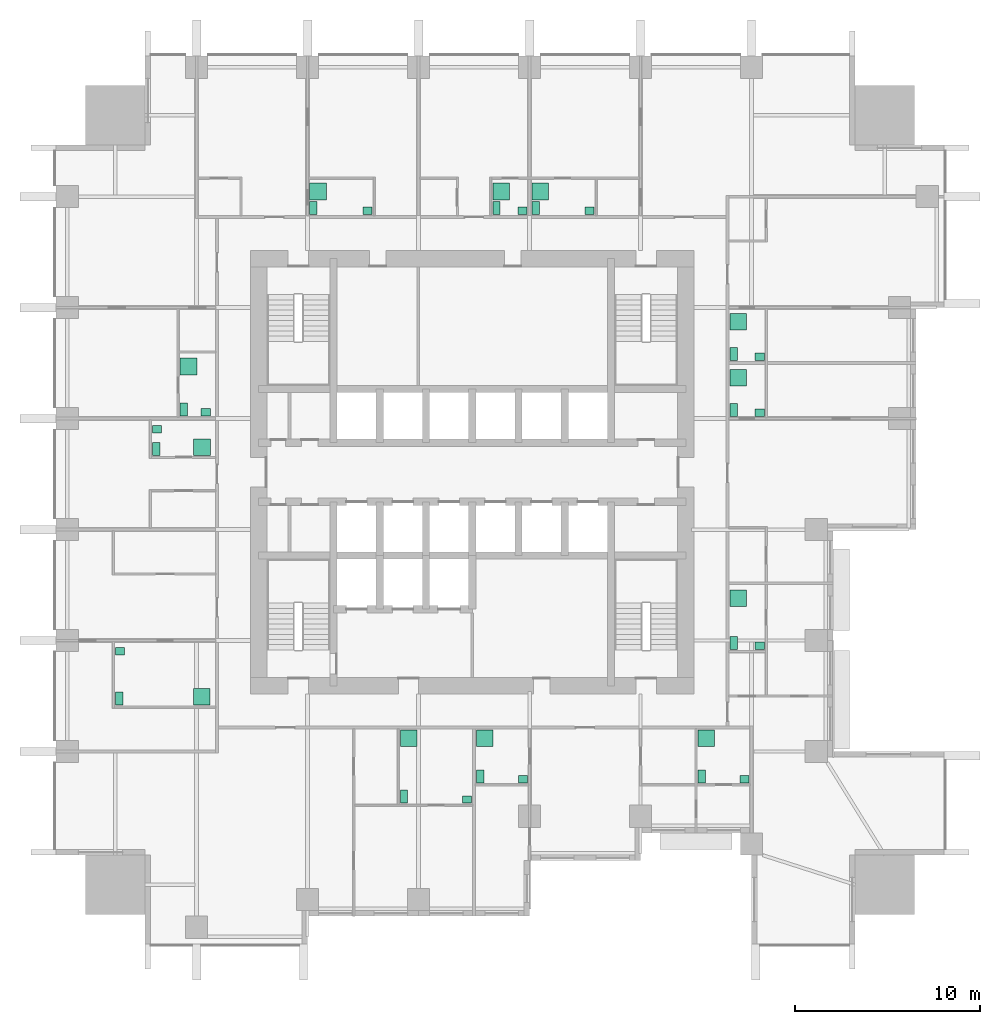
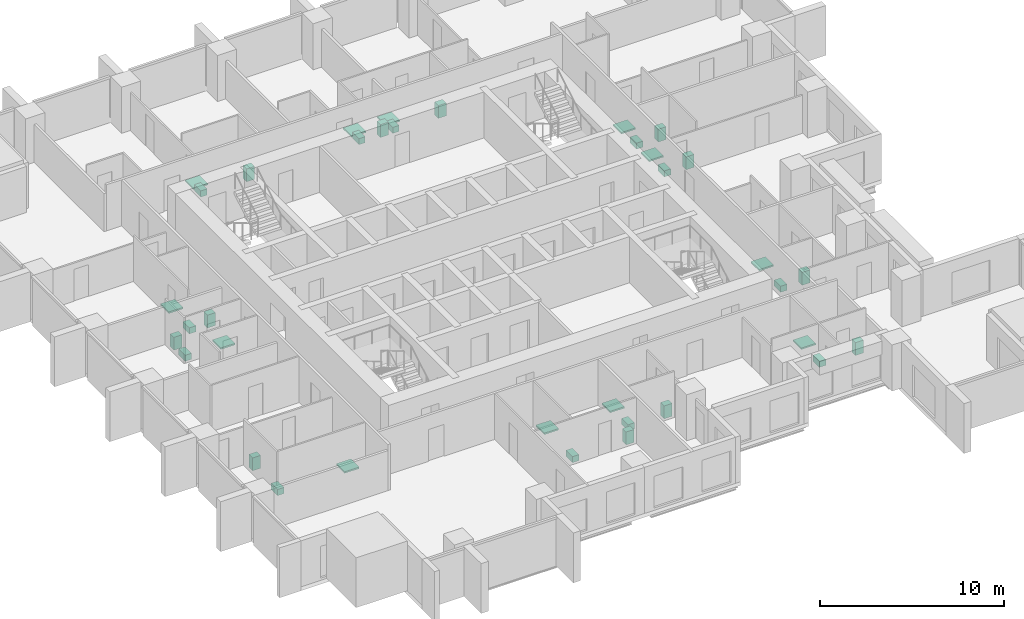
# One storey, part 10 of 10: 36 sanitary terminals.
"""IFC4 building model written with IfcOpenShell, lengths in metres."""

from ifc_helpers import new_model, si_unit, direction, frame, origin, origin_2d, place, context, subcontext, project, spatial, rectangle, extrude, element, save


model = new_model("IFC4")

# Units and contexts
model_context = context("Model", 3, precision=1e-05, world=origin(), true_north=direction((0.0, 1.0)))
body_context = subcontext(model_context, "Body", "Model", "MODEL_VIEW")
ifc_project = project(units=[si_unit("LENGTHUNIT", "METRE"), si_unit("AREAUNIT", "SQUARE_METRE"), si_unit("VOLUMEUNIT", "CUBIC_METRE"), si_unit("PLANEANGLEUNIT", "RADIAN"), si_unit("MASSUNIT", "GRAM", prefix="KILO")], contexts=[model_context])

# Site, building, storey
site_placement = place(None, origin())
site = spatial("IfcSite", under=ifc_project, at=site_placement, CompositionType="ELEMENT")
building_placement = place(site_placement, origin())
building = spatial("IfcBuilding", under=site, at=building_placement, Name="Amberfall Residences", CompositionType="ELEMENT")
storey_placement = place(building_placement, frame((0.0, 0.0, 63.10009765625)))
storey = spatial("IfcBuildingStorey", under=building, at=storey_placement, Name="L17", CompositionType="ELEMENT", Elevation=63.10009765625)

# Sanitary terminals
sanitary_terminal_1_placement = place(storey_placement, frame((70.81005859375, 27.9599609375, 0.0), z_axis=(0.0, 0.0, 1.0), x_axis=(1.0, 0.0, 0.0)))
element("IfcSanitaryTerminal", 1, at=sanitary_terminal_1_placement, inside=storey, Name="Water closet 1701", PredefinedType="TOILETPAN", context=body_context, shape_type="SweptSolid", body=[
    extrude(rectangle(XDim=0.39990234375, YDim=0.699951171875, at=origin_2d()), origin(), (0.0, 0.0, 1.0), 0.39990234375),
])
sanitary_terminal_2_placement = place(storey_placement, frame((74.215087890625, 27.81005859375, -0.000244140625), z_axis=(0.0, 0.0, 1.0), x_axis=(1.0, 0.0, 0.0)))
element("IfcSanitaryTerminal", 2, at=sanitary_terminal_2_placement, inside=storey, Name="Basin 1701", PredefinedType="WASHHANDBASIN", context=body_context, shape_type="SweptSolid", body=[
    extrude(rectangle(XDim=0.5, YDim=0.39990234375, at=origin_2d()), origin(), (0.0, 0.0, 1.0), 0.85009765625),
])
sanitary_terminal_3_placement = place(storey_placement, frame((71.06005859375, 31.114990234375, -0.000244140625), z_axis=(0.0, 0.0, 1.0), x_axis=(1.0, 0.0, 0.0)))
element("IfcSanitaryTerminal", 3, at=sanitary_terminal_3_placement, inside=storey, Name="Shower tray 1701", PredefinedType="SHOWER", context=body_context, shape_type="SweptSolid", body=[
    extrude(rectangle(XDim=0.89990234375, YDim=0.89990234375, at=origin_2d()), origin(), (0.0, 0.0, 1.0), 0.10009765625),
])
sanitary_terminal_4_placement = place(storey_placement, frame((74.93505859375, 29.06005859375, 0.0), z_axis=(0.0, 0.0, 1.0), x_axis=(1.0, 0.0, 0.0)))
element("IfcSanitaryTerminal", 4, at=sanitary_terminal_4_placement, inside=storey, Name="Water closet 1702", PredefinedType="TOILETPAN", context=body_context, shape_type="SweptSolid", body=[
    extrude(rectangle(XDim=0.39990234375, YDim=0.699951171875, at=origin_2d()), origin(), (0.0, 0.0, 1.0), 0.39990234375),
])
sanitary_terminal_5_placement = place(storey_placement, frame((77.239990234375, 28.909912109375, -0.000244140625), z_axis=(0.0, 0.0, 1.0), x_axis=(1.0, 0.0, 0.0)))
element("IfcSanitaryTerminal", 5, at=sanitary_terminal_5_placement, inside=storey, Name="Basin 1702", PredefinedType="WASHHANDBASIN", context=body_context, shape_type="SweptSolid", body=[
    extrude(rectangle(XDim=0.5, YDim=0.39990234375, at=origin_2d()), origin(), (0.0, 0.0, 1.0), 0.85009765625),
])
sanitary_terminal_6_placement = place(storey_placement, frame((75.18505859375, 31.114990234375, -0.000244140625), z_axis=(0.0, 0.0, 1.0), x_axis=(1.0, 0.0, 0.0)))
element("IfcSanitaryTerminal", 6, at=sanitary_terminal_6_placement, inside=storey, Name="Shower tray 1702", PredefinedType="SHOWER", context=body_context, shape_type="SweptSolid", body=[
    extrude(rectangle(XDim=0.89990234375, YDim=0.89990234375, at=origin_2d()), origin(), (0.0, 0.0, 1.0), 0.10009765625),
])
sanitary_terminal_7_placement = place(storey_placement, frame((86.909912109375, 29.06005859375, 0.0), z_axis=(0.0, 0.0, 1.0), x_axis=(1.0, 0.0, 0.0)))
element("IfcSanitaryTerminal", 7, at=sanitary_terminal_7_placement, inside=storey, Name="Water closet 1702", PredefinedType="TOILETPAN", context=body_context, shape_type="SweptSolid", body=[
    extrude(rectangle(XDim=0.39990234375, YDim=0.699951171875, at=origin_2d()), origin(), (0.0, 0.0, 1.0), 0.39990234375),
])
sanitary_terminal_8_placement = place(storey_placement, frame((89.215087890625, 28.909912109375, -0.000244140625), z_axis=(0.0, 0.0, 1.0), x_axis=(1.0, 0.0, 0.0)))
element("IfcSanitaryTerminal", 8, at=sanitary_terminal_8_placement, inside=storey, Name="Basin 1702", PredefinedType="WASHHANDBASIN", context=body_context, shape_type="SweptSolid", body=[
    extrude(rectangle(XDim=0.5, YDim=0.39990234375, at=origin_2d()), origin(), (0.0, 0.0, 1.0), 0.85009765625),
])
sanitary_terminal_9_placement = place(storey_placement, frame((87.159912109375, 31.114990234375, -0.000244140625), z_axis=(0.0, 0.0, 1.0), x_axis=(1.0, 0.0, 0.0)))
element("IfcSanitaryTerminal", 9, at=sanitary_terminal_9_placement, inside=storey, Name="Shower tray 1702", PredefinedType="SHOWER", context=body_context, shape_type="SweptSolid", body=[
    extrude(rectangle(XDim=0.89990234375, YDim=0.89990234375, at=origin_2d()), origin(), (0.0, 0.0, 1.0), 0.10009765625),
])
sanitary_terminal_10_placement = place(storey_placement, frame((88.635009765625, 36.260009765625, 0.0), z_axis=(0.0, 0.0, 1.0), x_axis=(1.0, 0.0, 0.0)))
element("IfcSanitaryTerminal", 10, at=sanitary_terminal_10_placement, inside=storey, Name="Water closet 1703", PredefinedType="TOILETPAN", context=body_context, shape_type="SweptSolid", body=[
    extrude(rectangle(XDim=0.39990234375, YDim=0.699951171875, at=origin_2d()), origin(), (0.0, 0.0, 1.0), 0.39990234375),
])
sanitary_terminal_11_placement = place(storey_placement, frame((90.0400390625, 36.110107421875, -0.000244140625), z_axis=(0.0, 0.0, 1.0), x_axis=(1.0, 0.0, 0.0)))
element("IfcSanitaryTerminal", 11, at=sanitary_terminal_11_placement, inside=storey, Name="Basin 1703", PredefinedType="WASHHANDBASIN", context=body_context, shape_type="SweptSolid", body=[
    extrude(rectangle(XDim=0.5, YDim=0.39990234375, at=origin_2d()), origin(), (0.0, 0.0, 1.0), 0.85009765625),
])
sanitary_terminal_12_placement = place(storey_placement, frame((88.885009765625, 38.6826171875, -0.000244140625), z_axis=(0.0, 0.0, 1.0), x_axis=(1.0, 0.0, 0.0)))
element("IfcSanitaryTerminal", 12, at=sanitary_terminal_12_placement, inside=storey, Name="Shower tray 1703", PredefinedType="SHOWER", context=body_context, shape_type="SweptSolid", body=[
    extrude(rectangle(XDim=0.89990234375, YDim=0.89990234375, at=origin_2d()), origin(), (0.0, 0.0, 1.0), 0.10009765625),
])
sanitary_terminal_13_placement = place(storey_placement, frame((88.635009765625, 48.860107421875, 0.0), z_axis=(0.0, 0.0, 1.0), x_axis=(1.0, 0.0, 0.0)))
element("IfcSanitaryTerminal", 13, at=sanitary_terminal_13_placement, inside=storey, Name="Water closet 1704", PredefinedType="TOILETPAN", context=body_context, shape_type="SweptSolid", body=[
    extrude(rectangle(XDim=0.39990234375, YDim=0.699951171875, at=origin_2d()), origin(), (0.0, 0.0, 1.0), 0.39990234375),
])
sanitary_terminal_14_placement = place(storey_placement, frame((90.0400390625, 48.7099609375, -0.000244140625), z_axis=(0.0, 0.0, 1.0), x_axis=(1.0, 0.0, 0.0)))
element("IfcSanitaryTerminal", 14, at=sanitary_terminal_14_placement, inside=storey, Name="Basin 1704", PredefinedType="WASHHANDBASIN", context=body_context, shape_type="SweptSolid", body=[
    extrude(rectangle(XDim=0.5, YDim=0.39990234375, at=origin_2d()), origin(), (0.0, 0.0, 1.0), 0.85009765625),
])
sanitary_terminal_15_placement = place(storey_placement, frame((88.885009765625, 50.60888671875, -0.000244140625), z_axis=(0.0, 0.0, 1.0), x_axis=(1.0, 0.0, 0.0)))
element("IfcSanitaryTerminal", 15, at=sanitary_terminal_15_placement, inside=storey, Name="Shower tray 1704", PredefinedType="SHOWER", context=body_context, shape_type="SweptSolid", body=[
    extrude(rectangle(XDim=0.89990234375, YDim=0.89990234375, at=origin_2d()), origin(), (0.0, 0.0, 1.0), 0.10009765625),
])
sanitary_terminal_16_placement = place(storey_placement, frame((88.635009765625, 51.885009765625, 0.0), z_axis=(0.0, 0.0, 1.0), x_axis=(1.0, 0.0, 0.0)))
element("IfcSanitaryTerminal", 16, at=sanitary_terminal_16_placement, inside=storey, Name="Water closet 1705", PredefinedType="TOILETPAN", context=body_context, shape_type="SweptSolid", body=[
    extrude(rectangle(XDim=0.39990234375, YDim=0.699951171875, at=origin_2d()), origin(), (0.0, 0.0, 1.0), 0.39990234375),
])
sanitary_terminal_17_placement = place(storey_placement, frame((90.0400390625, 51.735107421875, -0.000244140625), z_axis=(0.0, 0.0, 1.0), x_axis=(1.0, 0.0, 0.0)))
element("IfcSanitaryTerminal", 17, at=sanitary_terminal_17_placement, inside=storey, Name="Basin 1705", PredefinedType="WASHHANDBASIN", context=body_context, shape_type="SweptSolid", body=[
    extrude(rectangle(XDim=0.5, YDim=0.39990234375, at=origin_2d()), origin(), (0.0, 0.0, 1.0), 0.85009765625),
])
sanitary_terminal_18_placement = place(storey_placement, frame((88.885009765625, 53.6337890625, -0.000244140625), z_axis=(0.0, 0.0, 1.0), x_axis=(1.0, 0.0, 0.0)))
element("IfcSanitaryTerminal", 18, at=sanitary_terminal_18_placement, inside=storey, Name="Shower tray 1705", PredefinedType="SHOWER", context=body_context, shape_type="SweptSolid", body=[
    extrude(rectangle(XDim=0.89990234375, YDim=0.89990234375, at=origin_2d()), origin(), (0.0, 0.0, 1.0), 0.10009765625),
])
sanitary_terminal_19_placement = place(storey_placement, frame((65.909912109375, 59.784912109375, 0.0), z_axis=(0.0, 0.0, 1.0), x_axis=(1.0, 0.0, 0.0)))
element("IfcSanitaryTerminal", 19, at=sanitary_terminal_19_placement, inside=storey, Name="Water closet 1706", PredefinedType="TOILETPAN", context=body_context, shape_type="SweptSolid", body=[
    extrude(rectangle(XDim=0.39990234375, YDim=0.699951171875, at=origin_2d()), origin(), (0.0, 0.0, 1.0), 0.39990234375),
])
sanitary_terminal_20_placement = place(storey_placement, frame((68.840087890625, 59.635009765625, -0.000244140625), z_axis=(0.0, 0.0, 1.0), x_axis=(1.0, 0.0, 0.0)))
element("IfcSanitaryTerminal", 20, at=sanitary_terminal_20_placement, inside=storey, Name="Basin 1706", PredefinedType="WASHHANDBASIN", context=body_context, shape_type="SweptSolid", body=[
    extrude(rectangle(XDim=0.5, YDim=0.39990234375, at=origin_2d()), origin(), (0.0, 0.0, 1.0), 0.85009765625),
])
sanitary_terminal_21_placement = place(storey_placement, frame((66.159912109375, 60.680908203125, -0.000244140625), z_axis=(0.0, 0.0, 1.0), x_axis=(1.0, 0.0, 0.0)))
element("IfcSanitaryTerminal", 21, at=sanitary_terminal_21_placement, inside=storey, Name="Shower tray 1706", PredefinedType="SHOWER", context=body_context, shape_type="SweptSolid", body=[
    extrude(rectangle(XDim=0.89990234375, YDim=0.89990234375, at=origin_2d()), origin(), (0.0, 0.0, 1.0), 0.10009765625),
])
sanitary_terminal_22_placement = place(storey_placement, frame((75.81005859375, 59.784912109375, 0.0), z_axis=(0.0, 0.0, 1.0), x_axis=(1.0, 0.0, 0.0)))
element("IfcSanitaryTerminal", 22, at=sanitary_terminal_22_placement, inside=storey, Name="Water closet 1707", PredefinedType="TOILETPAN", context=body_context, shape_type="SweptSolid", body=[
    extrude(rectangle(XDim=0.39990234375, YDim=0.699951171875, at=origin_2d()), origin(), (0.0, 0.0, 1.0), 0.39990234375),
])
sanitary_terminal_23_placement = place(storey_placement, frame((77.215087890625, 59.635009765625, -0.000244140625), z_axis=(0.0, 0.0, 1.0), x_axis=(1.0, 0.0, 0.0)))
element("IfcSanitaryTerminal", 23, at=sanitary_terminal_23_placement, inside=storey, Name="Basin 1707", PredefinedType="WASHHANDBASIN", context=body_context, shape_type="SweptSolid", body=[
    extrude(rectangle(XDim=0.5, YDim=0.39990234375, at=origin_2d()), origin(), (0.0, 0.0, 1.0), 0.85009765625),
])
sanitary_terminal_24_placement = place(storey_placement, frame((76.06005859375, 60.680908203125, -0.000244140625), z_axis=(0.0, 0.0, 1.0), x_axis=(1.0, 0.0, 0.0)))
element("IfcSanitaryTerminal", 24, at=sanitary_terminal_24_placement, inside=storey, Name="Shower tray 1707", PredefinedType="SHOWER", context=body_context, shape_type="SweptSolid", body=[
    extrude(rectangle(XDim=0.89990234375, YDim=0.89990234375, at=origin_2d()), origin(), (0.0, 0.0, 1.0), 0.10009765625),
])
sanitary_terminal_25_placement = place(storey_placement, frame((77.93505859375, 59.784912109375, 0.0), z_axis=(0.0, 0.0, 1.0), x_axis=(1.0, 0.0, 0.0)))
element("IfcSanitaryTerminal", 25, at=sanitary_terminal_25_placement, inside=storey, Name="Water closet 1708", PredefinedType="TOILETPAN", context=body_context, shape_type="SweptSolid", body=[
    extrude(rectangle(XDim=0.39990234375, YDim=0.699951171875, at=origin_2d()), origin(), (0.0, 0.0, 1.0), 0.39990234375),
])
sanitary_terminal_26_placement = place(storey_placement, frame((80.840087890625, 59.635009765625, -0.000244140625), z_axis=(0.0, 0.0, 1.0), x_axis=(1.0, 0.0, 0.0)))
element("IfcSanitaryTerminal", 26, at=sanitary_terminal_26_placement, inside=storey, Name="Basin 1708", PredefinedType="WASHHANDBASIN", context=body_context, shape_type="SweptSolid", body=[
    extrude(rectangle(XDim=0.5, YDim=0.39990234375, at=origin_2d()), origin(), (0.0, 0.0, 1.0), 0.85009765625),
])
sanitary_terminal_27_placement = place(storey_placement, frame((78.18505859375, 60.680908203125, -0.000244140625), z_axis=(0.0, 0.0, 1.0), x_axis=(1.0, 0.0, 0.0)))
element("IfcSanitaryTerminal", 27, at=sanitary_terminal_27_placement, inside=storey, Name="Shower tray 1708", PredefinedType="SHOWER", context=body_context, shape_type="SweptSolid", body=[
    extrude(rectangle(XDim=0.89990234375, YDim=0.89990234375, at=origin_2d()), origin(), (0.0, 0.0, 1.0), 0.10009765625),
])
sanitary_terminal_28_placement = place(storey_placement, frame((55.409912109375, 33.260009765625, 0.0), z_axis=(0.0, 0.0, 1.0), x_axis=(1.0, 0.0, 0.0)))
element("IfcSanitaryTerminal", 28, at=sanitary_terminal_28_placement, inside=storey, Name="Water closet 1709", PredefinedType="TOILETPAN", context=body_context, shape_type="SweptSolid", body=[
    extrude(rectangle(XDim=0.39990234375, YDim=0.699951171875, at=origin_2d()), origin(), (0.0, 0.0, 1.0), 0.39990234375),
])
sanitary_terminal_29_placement = place(storey_placement, frame((55.4599609375, 35.819091796875, -0.000244140625), z_axis=(0.0, 0.0, 1.0), x_axis=(1.0, 0.0, 0.0)))
element("IfcSanitaryTerminal", 29, at=sanitary_terminal_29_placement, inside=storey, Name="Basin 1709", PredefinedType="WASHHANDBASIN", context=body_context, shape_type="SweptSolid", body=[
    extrude(rectangle(XDim=0.5, YDim=0.39990234375, at=origin_2d()), origin(), (0.0, 0.0, 1.0), 0.85009765625),
])
sanitary_terminal_30_placement = place(storey_placement, frame((59.867431640625, 33.360107421875, -0.000244140625), z_axis=(0.0, 0.0, 1.0), x_axis=(1.0, 0.0, 0.0)))
element("IfcSanitaryTerminal", 30, at=sanitary_terminal_30_placement, inside=storey, Name="Shower tray 1709", PredefinedType="SHOWER", context=body_context, shape_type="SweptSolid", body=[
    extrude(rectangle(XDim=0.89990234375, YDim=0.89990234375, at=origin_2d()), origin(), (0.0, 0.0, 1.0), 0.10009765625),
])
sanitary_terminal_31_placement = place(storey_placement, frame((57.409912109375, 46.760009765625, 0.0), z_axis=(0.0, 0.0, 1.0), x_axis=(1.0, 0.0, 0.0)))
element("IfcSanitaryTerminal", 31, at=sanitary_terminal_31_placement, inside=storey, Name="Water closet 1710", PredefinedType="TOILETPAN", context=body_context, shape_type="SweptSolid", body=[
    extrude(rectangle(XDim=0.39990234375, YDim=0.699951171875, at=origin_2d()), origin(), (0.0, 0.0, 1.0), 0.39990234375),
])
sanitary_terminal_32_placement = place(storey_placement, frame((57.4599609375, 47.822509765625, -0.000244140625), z_axis=(0.0, 0.0, 1.0), x_axis=(1.0, 0.0, 0.0)))
element("IfcSanitaryTerminal", 32, at=sanitary_terminal_32_placement, inside=storey, Name="Basin 1710", PredefinedType="WASHHANDBASIN", context=body_context, shape_type="SweptSolid", body=[
    extrude(rectangle(XDim=0.5, YDim=0.39990234375, at=origin_2d()), origin(), (0.0, 0.0, 1.0), 0.85009765625),
])
sanitary_terminal_33_placement = place(storey_placement, frame((59.891845703125, 46.860107421875, -0.000244140625), z_axis=(0.0, 0.0, 1.0), x_axis=(1.0, 0.0, 0.0)))
element("IfcSanitaryTerminal", 33, at=sanitary_terminal_33_placement, inside=storey, Name="Shower tray 1710", PredefinedType="SHOWER", context=body_context, shape_type="SweptSolid", body=[
    extrude(rectangle(XDim=0.89990234375, YDim=0.89990234375, at=origin_2d()), origin(), (0.0, 0.0, 1.0), 0.10009765625),
])
sanitary_terminal_34_placement = place(storey_placement, frame((58.909912109375, 48.885009765625, 0.0), z_axis=(0.0, 0.0, 1.0), x_axis=(1.0, 0.0, 0.0)))
element("IfcSanitaryTerminal", 34, at=sanitary_terminal_34_placement, inside=storey, Name="Water closet 1711", PredefinedType="TOILETPAN", context=body_context, shape_type="SweptSolid", body=[
    extrude(rectangle(XDim=0.39990234375, YDim=0.699951171875, at=origin_2d()), origin(), (0.0, 0.0, 1.0), 0.39990234375),
])
sanitary_terminal_35_placement = place(storey_placement, frame((60.089111328125, 48.735107421875, -0.000244140625), z_axis=(0.0, 0.0, 1.0), x_axis=(1.0, 0.0, 0.0)))
element("IfcSanitaryTerminal", 35, at=sanitary_terminal_35_placement, inside=storey, Name="Basin 1711", PredefinedType="WASHHANDBASIN", context=body_context, shape_type="SweptSolid", body=[
    extrude(rectangle(XDim=0.5, YDim=0.39990234375, at=origin_2d()), origin(), (0.0, 0.0, 1.0), 0.85009765625),
])
sanitary_terminal_36_placement = place(storey_placement, frame((59.159912109375, 51.216796875, -0.000244140625), z_axis=(0.0, 0.0, 1.0), x_axis=(1.0, 0.0, 0.0)))
element("IfcSanitaryTerminal", 36, at=sanitary_terminal_36_placement, inside=storey, Name="Shower tray 1711", PredefinedType="SHOWER", context=body_context, shape_type="SweptSolid", body=[
    extrude(rectangle(XDim=0.89990234375, YDim=0.89990234375, at=origin_2d()), origin(), (0.0, 0.0, 1.0), 0.10009765625),
])

save(model, "model.ifc")
